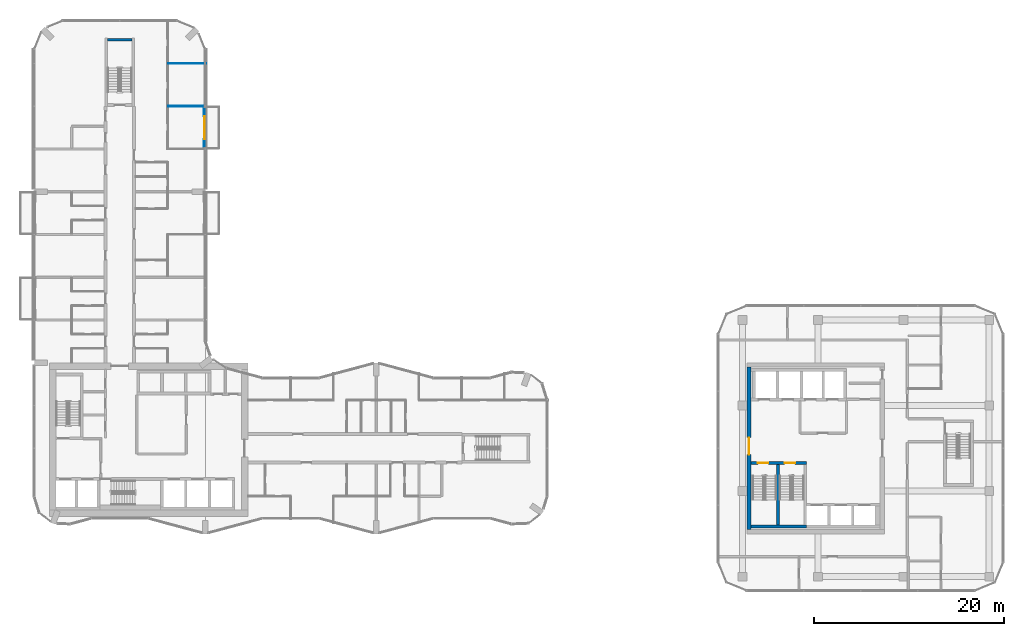
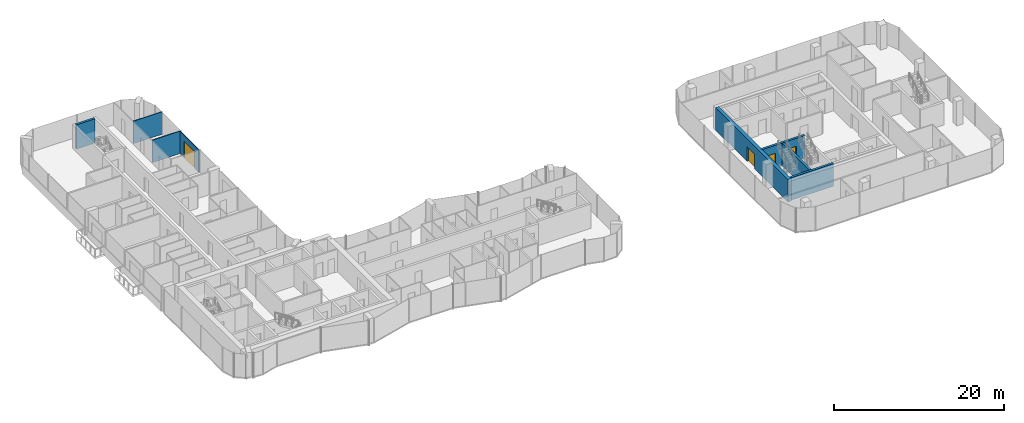
# One storey, part 17 of 23: 8 walls, 4 doors, 4 openings.
"""IFC4 building model written with IfcOpenShell, lengths in metres."""

from ifc_helpers import new_model, si_unit, direction, frame, frame_2d, origin, place, context, subcontext, project, spatial, rectangle, extrude, material, layer, layer_set, type_object, element, fill, save


model = new_model("IFC4")

# Units and contexts
model_context = context("Model", 3, precision=1e-05, world=origin(), true_north=direction((0.0, 1.0)))
body_context = subcontext(model_context, "Body", "Model", "MODEL_VIEW")
ifc_project = project(units=[si_unit("LENGTHUNIT", "METRE"), si_unit("AREAUNIT", "SQUARE_METRE"), si_unit("VOLUMEUNIT", "CUBIC_METRE"), si_unit("PLANEANGLEUNIT", "RADIAN"), si_unit("MASSUNIT", "GRAM", prefix="KILO")], contexts=[model_context])

# Site, building, storey
site_placement = place(None, origin())
site = spatial("IfcSite", under=ifc_project, at=site_placement, CompositionType="ELEMENT")
building_placement = place(site_placement, origin())
building = spatial("IfcBuilding", under=site, at=building_placement, Name="Plateau Cross Towers", CompositionType="ELEMENT")
storey_placement = place(building_placement, frame((0.0, 0.0, 88.800048828125)))
storey = spatial("IfcBuildingStorey", under=building, at=storey_placement, Name="L22", CompositionType="ELEMENT", Elevation=88.800048828125)

# Wall, opening, door
ifc_material_1 = material(Name="Aluminium framed glazing", Category="aluminium")
ifc_layer_1 = layer(ifc_material_1, 0.10009765625)
ifc_layer_set_1 = layer_set([ifc_layer_1], Name="Aluminium framed glazing")
wall_type_1 = type_object("IfcWallType", Name="Balcony screen wall 100", PredefinedType="STANDARD", material=ifc_layer_set_1)
wall_1_placement = place(storey_placement, frame((17.89990234375, 45.0, 0.0), z_axis=(0.0, 0.0, 1.0), x_axis=(0.0, -1.0, 0.0)))
wall_1 = element("IfcWall", 1, at=wall_1_placement, inside=storey, type_object=wall_type_1, Name="Balcony screen wall A-BAL-L22-04", PredefinedType="STANDARD", context=body_context, shape_type="SweptSolid", body=[
    extrude(rectangle(XDim=4.5, YDim=0.10009765625, at=frame_2d((2.25, 0.0))), origin(), (0.0, 0.0, 1.0), 3.25),
])
opening_1_placement = place(wall_1_placement, frame((1.050048828125, 0.0, 0.0)))
opening_1 = element("IfcOpeningElement", 2, at=opening_1_placement, cuts=wall_1, Name="Opening D-B24", PredefinedType="OPENING", context=body_context, shape_type="SweptSolid", body=[
    extrude(rectangle(XDim=2.39990234375, YDim=2.39990234375, at=frame_2d((1.199951171875, 1.199951171875))), frame((0.0, 0.06005859375, 0.0), z_axis=(0.0, -1.0, 0.0), x_axis=(1.0, 0.0, 0.0)), (0.0, 0.0, 1.0), 0.1201171875),
])
ifc_material_2 = material(Name="Aluminium frame, double glazing", Category="aluminium")
door_type_1 = type_object("IfcDoorType", Name="Balcony sliding door 2400", OperationType="NOTDEFINED", PredefinedType="DOOR", material=ifc_material_2)
door_1_placement = place(opening_1_placement, origin())
door_1 = element("IfcDoor", 3, at=door_1_placement, inside=storey, type_object=door_type_1, Name="Balcony door A-BAL-L22-04", OperationType="SINGLE_SWING_LEFT", OverallHeight=2.39990234375, OverallWidth=2.39990234375, PredefinedType="DOOR", context=body_context, shape_type="SweptSolid", body=[
    extrude(rectangle(XDim=2.39990234375, YDim=2.39990234375, at=frame_2d((1.199951171875, 1.199951171875))), frame((0.0, 0.02490234375, 0.0), z_axis=(0.0, -1.0, 0.0), x_axis=(1.0, 0.0, 0.0)), (0.0, 0.0, 1.0), 0.050048828125),
])
fill(opening_1, door_1)

# Wall
ifc_material_3 = material(Name="Concrete C60/75", Category="concrete")
ifc_layer_2 = layer(ifc_material_3, 0.300048828125)
ifc_layer_set_2 = layer_set([ifc_layer_2], Name="Concrete C60/75")
wall_type_2 = type_object("IfcWallType", Name="Core shaft wall 300", PredefinedType="SHEAR", material=ifc_layer_set_2)
wall_2_placement = place(storey_placement, frame((75.429931640625, 0.75, 0.0), z_axis=(0.0, 0.0, 1.0), x_axis=(1.0, 0.0, 0.0)))
element("IfcWall", 4, at=wall_2_placement, inside=storey, type_object=wall_type_2, Name="B-sb-stS@L22", PredefinedType="SHEAR", context=body_context, shape_type="SweptSolid", body=[
    extrude(rectangle(XDim=5.8701171875, YDim=0.300048828125, at=frame_2d((2.93505859375, 0.0))), origin(), (0.0, 0.0, 1.0), 3.25),
])

# Wall, openings, doors
wall_3_placement = place(storey_placement, frame((75.429931640625, 7.449951171875, 0.0), z_axis=(0.0, 0.0, 1.0), x_axis=(1.0, 0.0, 0.0)))
wall_3 = element("IfcWall", 5, at=wall_3_placement, inside=storey, type_object=wall_type_2, Name="B-sb-stN@L22", PredefinedType="SHEAR", context=body_context, shape_type="SweptSolid", body=[
    extrude(rectangle(XDim=5.8701171875, YDim=0.300048828125, at=frame_2d((2.93505859375, 0.0))), origin(), (0.0, 0.0, 1.0), 3.25),
])
opening_2_placement = place(wall_3_placement, frame((0.75, 0.0, 0.0)))
opening_2 = element("IfcOpeningElement", 6, at=opening_2_placement, cuts=wall_3, Name="Opening SD", PredefinedType="OPENING", context=body_context, shape_type="SweptSolid", body=[
    extrude(rectangle(XDim=1.10009765625, YDim=2.10009765625, at=frame_2d((0.550048828125, 1.050048828125))), frame((0.0, 0.159912109375, 0.0), z_axis=(0.0, -1.0, 0.0), x_axis=(1.0, 0.0, 0.0)), (0.0, 0.0, 1.0), 0.320068359375),
])
opening_3_placement = place(wall_3_placement, frame((3.550048828125, 0.0, 0.0)))
opening_3 = element("IfcOpeningElement", 7, at=opening_3_placement, cuts=wall_3, Name="Opening SD", PredefinedType="OPENING", context=body_context, shape_type="SweptSolid", body=[
    extrude(rectangle(XDim=1.10009765625, YDim=2.10009765625, at=frame_2d((0.550048828125, 1.050048828125))), frame((0.0, 0.159912109375, 0.0), z_axis=(0.0, -1.0, 0.0), x_axis=(1.0, 0.0, 0.0)), (0.0, 0.0, 1.0), 0.320068359375),
])
ifc_material_4 = material(Name="Steel, fire-resisting leaf", Category="steel")
door_type_2 = type_object("IfcDoorType", Name="Stair door 1100", OperationType="NOTDEFINED", PredefinedType="DOOR", material=ifc_material_4)
door_2_placement = place(opening_2_placement, origin())
door_2 = element("IfcDoor", 8, at=door_2_placement, inside=storey, type_object=door_type_2, Name="Stair door SD", OperationType="SINGLE_SWING_RIGHT", OverallHeight=2.10009765625, OverallWidth=1.10009765625, PredefinedType="DOOR", context=body_context, shape_type="SweptSolid", body=[
    extrude(rectangle(XDim=1.10009765625, YDim=2.10009765625, at=frame_2d((0.550048828125, 1.050048828125))), frame((0.0, 0.02490234375, 0.0), z_axis=(0.0, -1.0, 0.0), x_axis=(1.0, 0.0, 0.0)), (0.0, 0.0, 1.0), 0.050048828125),
])
fill(opening_2, door_2)
door_3_placement = place(opening_3_placement, origin())
door_3 = element("IfcDoor", 9, at=door_3_placement, inside=storey, type_object=door_type_2, Name="Stair door SD", OperationType="SINGLE_SWING_LEFT", OverallHeight=2.10009765625, OverallWidth=1.10009765625, PredefinedType="DOOR", context=body_context, shape_type="SweptSolid", body=[
    extrude(rectangle(XDim=1.10009765625, YDim=2.10009765625, at=frame_2d((0.550048828125, 1.050048828125))), frame((0.0, 0.02490234375, 0.0), z_axis=(0.0, -1.0, 0.0), x_axis=(1.0, 0.0, 0.0)), (0.0, 0.0, 1.0), 0.050048828125),
])
fill(opening_3, door_3)

# Wall
wall_4_placement = place(storey_placement, frame((78.300048828125, 0.89990234375, 0.0), z_axis=(0.0, 0.0, 1.0), x_axis=(0.0, 1.0, 0.0)))
element("IfcWall", 10, at=wall_4_placement, inside=storey, type_object=wall_type_2, Name="B-sb-st1@L22", PredefinedType="SHEAR", context=body_context, shape_type="SweptSolid", body=[
    extrude(rectangle(XDim=6.400146484375, YDim=0.300048828125, at=frame_2d((3.2001953125, 0.0))), origin(), (0.0, 0.0, 1.0), 3.25),
])

# Wall, opening, door
ifc_layer_3 = layer(ifc_material_3, 0.449951171875)
ifc_layer_set_3 = layer_set([ifc_layer_3], Name="Concrete C60/75")
wall_type_3 = type_object("IfcWallType", Name="Core shell wall 450", PredefinedType="SHEAR", material=ifc_layer_set_3)
wall_5_placement = place(storey_placement, frame((75.22509765625, 0.449951171875, 0.0), z_axis=(0.0, 0.0, 1.0), x_axis=(0.0, 1.0, 0.0)))
wall_5 = element("IfcWall", 11, at=wall_5_placement, inside=storey, type_object=wall_type_3, Name="B-core-W@L22", PredefinedType="SHEAR", context=body_context, shape_type="SweptSolid", body=[
    extrude(rectangle(XDim=17.10009765625, YDim=0.449951171875, at=frame_2d((8.550048828125, 0.0))), origin(), (0.0, 0.0, 1.0), 3.25),
])
opening_4_placement = place(wall_5_placement, frame((7.875, 0.0, 0.0)))
opening_4 = element("IfcOpeningElement", 12, at=opening_4_placement, cuts=wall_5, Name="Opening CD", PredefinedType="OPENING", context=body_context, shape_type="SweptSolid", body=[
    extrude(rectangle(XDim=1.800048828125, YDim=2.10009765625, at=frame_2d((0.89990234375, 1.050048828125))), frame((0.0, 0.23486328125, 0.0), z_axis=(0.0, -1.0, 0.0), x_axis=(1.0, 0.0, 0.0)), (0.0, 0.0, 1.0), 0.469970703125),
])
ifc_material_5 = material(Name="Steel, fire-resisting leaves", Category="steel")
door_type_3 = type_object("IfcDoorType", Name="Corridor door pair 1800", OperationType="NOTDEFINED", PredefinedType="DOOR", material=ifc_material_5)
door_4_placement = place(opening_4_placement, origin())
door_4 = element("IfcDoor", 13, at=door_4_placement, inside=storey, type_object=door_type_3, Name="Corridor door pair CD", OperationType="DOUBLE_DOOR_SINGLE_SWING", OverallHeight=2.10009765625, OverallWidth=1.800048828125, PredefinedType="DOOR", context=body_context, shape_type="SweptSolid", body=[
    extrude(rectangle(XDim=1.800048828125, YDim=2.10009765625, at=frame_2d((0.89990234375, 1.050048828125))), frame((0.0, 0.02490234375, 0.0), z_axis=(0.0, -1.0, 0.0), x_axis=(1.0, 0.0, 0.0)), (0.0, 0.0, 1.0), 0.050048828125),
])
fill(opening_4, door_4)

# Walls
ifc_material_6 = material(Name="Gypsum board on steel studs", Category="steel")
ifc_layer_4 = layer(ifc_material_6, 0.10009765625)
ifc_layer_set_4 = layer_set([ifc_layer_4], Name="Gypsum board on steel studs")
wall_type_4 = type_object("IfcWallType", Name="Flat partition 100", PredefinedType="PARTITIONING", material=ifc_layer_set_4)
wall_6_placement = place(storey_placement, frame((17.85009765625, 45.0, 0.0), z_axis=(0.0, 0.0, 1.0), x_axis=(-1.0, 0.0, 0.0)))
element("IfcWall", 14, at=wall_6_placement, inside=storey, type_object=wall_type_4, Name="Partition wall", PredefinedType="PARTITIONING", context=body_context, shape_type="SweptSolid", body=[
    extrude(rectangle(XDim=3.737548828125, YDim=0.10009765625, at=frame_2d((1.86865234375, 0.0))), origin(), (0.0, 0.0, 1.0), 3.25),
])
wall_7_placement = place(storey_placement, frame((18.080078125, 49.5, 0.0), z_axis=(0.0, 0.0, 1.0), x_axis=(-1.0, 0.0, 0.0)))
element("IfcWall", 15, at=wall_7_placement, inside=storey, type_object=wall_type_4, Name="Partition wall", PredefinedType="PARTITIONING", context=body_context, shape_type="SweptSolid", body=[
    extrude(rectangle(XDim=3.967529296875, YDim=0.10009765625, at=frame_2d((1.98388671875, 0.0))), origin(), (0.0, 0.0, 1.0), 3.25),
])
ifc_layer_5 = layer(ifc_material_3, 0.300048828125)
ifc_layer_set_5 = layer_set([ifc_layer_5], Name="Concrete C60/75")
wall_type_5 = type_object("IfcWallType", Name="Stair tower wall 300", PredefinedType="SHEAR", material=ifc_layer_set_5)
wall_8_placement = place(storey_placement, frame((7.72509765625, 52.0, 0.0), z_axis=(0.0, 0.0, 1.0), x_axis=(1.0, 0.0, 0.0)))
element("IfcWall", 16, at=wall_8_placement, inside=storey, type_object=wall_type_5, Name="A-end-N-N@L22", PredefinedType="SHEAR", context=body_context, shape_type="SweptSolid", body=[
    extrude(rectangle(XDim=2.5498046875, YDim=0.300048828125, at=frame_2d((1.27490234375, 0.0))), origin(), (0.0, 0.0, 1.0), 3.5),
])

save(model, "model.ifc")
